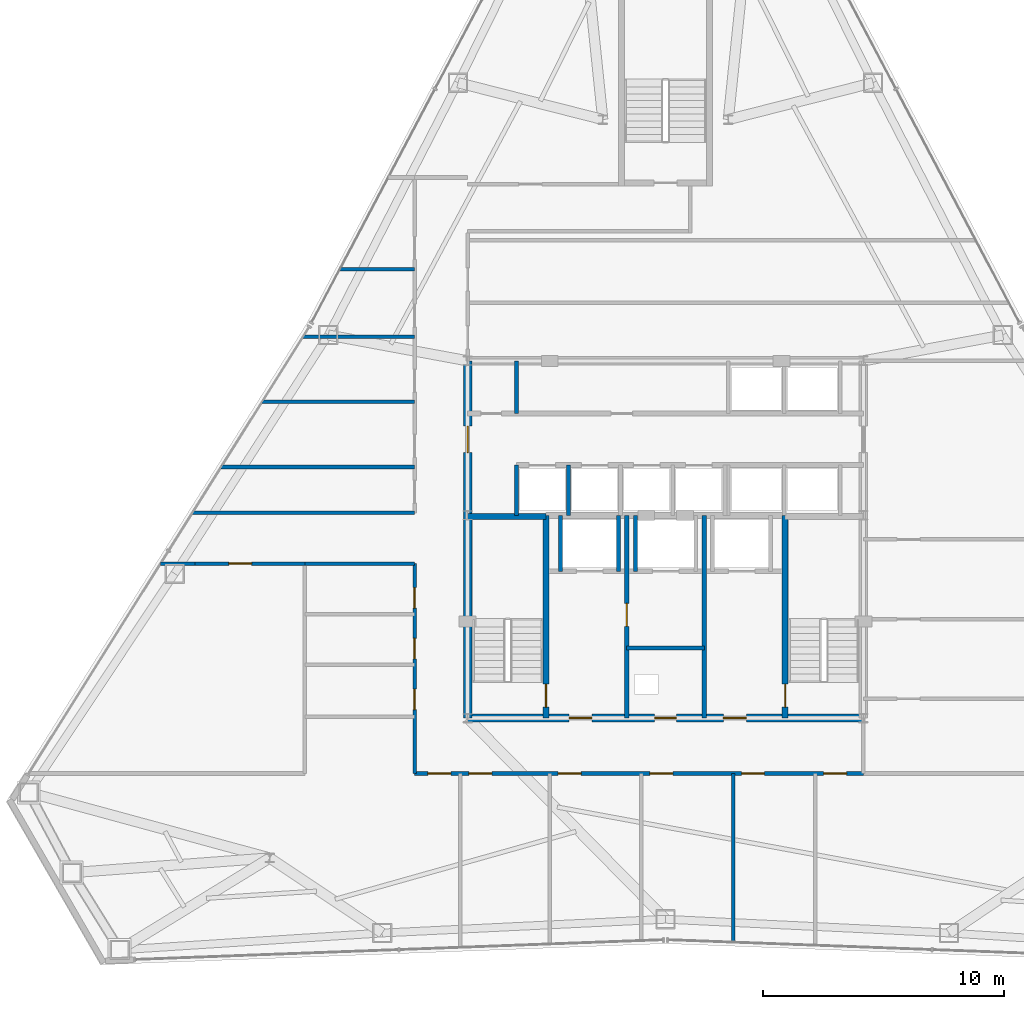
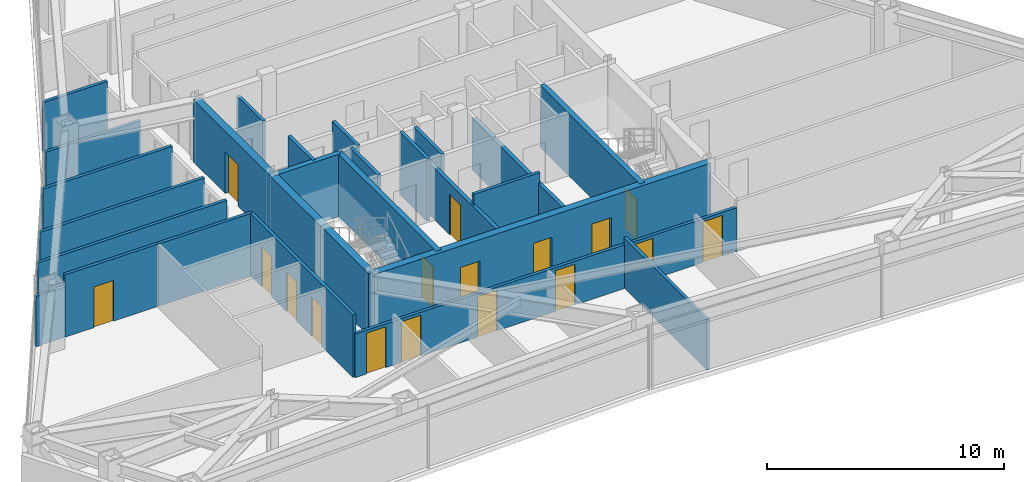
# One storey, part 10 of 13: 25 walls, 17 doors, 17 openings.
"""IFC4 building model written with IfcOpenShell, lengths in metres."""

import ifcopenshell
import ifcopenshell.guid

model = None  # the IFC model being written
_history = None  # IfcOwnerHistory: only IFC2X3 demands one
_inside = {}  # id of a spatial element -> (the spatial element, [elements in it])
_under = {}  # id of a project, library or spatial element -> (it, [spatial elements below it])
_declared = {}  # id of a project -> (the project, [libraries it declares])
_typed = {}  # id of a type object -> (the type object, [elements of that type])
_made_of = {}  # id of a material, layer set ... -> (it, [elements and type objects made of it])


def new_model(schema):
    """Start an empty IFC model of exactly this schema.

    Asked for "IFC4X3", IfcOpenShell would pick the latest addendum, in which some entities
    have other attributes; the version numbers below select the first issue.
    IFC2X3 requires an IfcOwnerHistory on every rooted entity: one is made here for all.
    """
    global model, _history
    if schema == "IFC4X3":
        model = ifcopenshell.file(schema_version=(4, 3, 0, 0))
    else:
        model = ifcopenshell.file(schema=schema)
    _inside.clear()
    _under.clear()
    _declared.clear()
    _typed.clear()
    _made_of.clear()
    _history = None
    if model.schema == "IFC2X3":
        org = make("IfcOrganization", Name="unknown")
        user = make(
            "IfcPersonAndOrganization",
            ThePerson=make("IfcPerson", FamilyName="unknown"),
            TheOrganization=org,
        )
        app = make(
            "IfcApplication",
            ApplicationDeveloper=org,
            Version="unknown",
            ApplicationFullName="unknown",
            ApplicationIdentifier="unknown",
        )
        _history = make(
            "IfcOwnerHistory",
            OwningUser=user,
            OwningApplication=app,
            ChangeAction="ADDED",
            CreationDate=0,
        )
    return model


def make(cls, **values):
    """One entity of the class cls with the attributes given. An attribute that is None is left unset."""
    return model.create_entity(
        cls, **{name: value for name, value in values.items() if value is not None}
    )


def rooted(cls, **values):
    """An entity with a GlobalId (a new one), such as an element, a storey or a relation."""
    return make(cls, GlobalId=ifcopenshell.guid.new(), OwnerHistory=_history, **values)


def si_unit(unit_type, name, prefix=None):
    """IfcSIUnit, for example si_unit("LENGTHUNIT", "METRE", prefix="MILLI")."""
    return make("IfcSIUnit", UnitType=unit_type, Prefix=prefix, Name=name)


def assignment(units):
    """IfcUnitAssignment: the units of a project."""
    return None if units is None else make("IfcUnitAssignment", Units=units)


def point(xyz):
    """IfcCartesianPoint."""
    return None if xyz is None else make("IfcCartesianPoint", Coordinates=xyz)


def direction(xyz):
    """IfcDirection."""
    return None if xyz is None else make("IfcDirection", DirectionRatios=xyz)


def frame(location, z_axis=None, x_axis=None):
    """IfcAxis2Placement3D, a coordinate frame: its origin and axes. An axis left out is left unset."""
    return make(
        "IfcAxis2Placement3D",
        Location=point(location),
        Axis=direction(z_axis),
        RefDirection=direction(x_axis),
    )


def frame_2d(location, x_axis=None):
    """IfcAxis2Placement2D, a coordinate frame in the plane: its origin and x axis."""
    return make(
        "IfcAxis2Placement2D", Location=point(location), RefDirection=direction(x_axis)
    )


def origin():
    """The frame at (0, 0, 0) with its axes left unset."""
    return frame((0.0, 0.0, 0.0))


def place(relative_to, where):
    """IfcLocalPlacement: puts the frame where relative to a parent placement (None: the world)."""
    return make(
        "IfcLocalPlacement", PlacementRelTo=relative_to, RelativePlacement=where
    )


def context(
    kind, dimensions, precision=None, world=None, true_north=None, identifier=None
):
    """IfcGeometricRepresentationContext, for example the 3D "Model" context."""
    return make(
        "IfcGeometricRepresentationContext",
        ContextIdentifier=identifier,
        ContextType=kind,
        CoordinateSpaceDimension=dimensions,
        Precision=precision,
        WorldCoordinateSystem=world,
        TrueNorth=true_north,
    )


def subcontext(parent, identifier, kind, view, scale=None):
    """IfcGeometricRepresentationSubContext, for example "Body" below "Model"."""
    return make(
        "IfcGeometricRepresentationSubContext",
        ContextIdentifier=identifier,
        ContextType=kind,
        ParentContext=parent,
        TargetScale=scale,
        TargetView=view,
    )


def project(units=None, contexts=None):
    """IfcProject with its units and contexts."""
    return rooted(
        "IfcProject",
        Name="project",
        RepresentationContexts=contexts,
        UnitsInContext=assignment(units),
    )


def spatial(cls, under=None, at=None, **own):
    """A site, building, storey or space (cls), placed at a placement, below another one or the project."""
    s = rooted(cls, ObjectPlacement=at, **own)
    if under is not None:
        _under.setdefault(under.id(), (under, []))[1].append(s)
    return s


def profile(cls, at=None, kind="AREA", **sizes):
    """A parametric profile (cls). Its sizes go by their IFC names, for example OverallWidth=200.0."""
    return make(cls, ProfileType=kind, Position=at, **sizes)


def rectangle(**sizes):
    """IfcRectangleProfileDef."""
    return profile("IfcRectangleProfileDef", **sizes)


def extrude(swept, where, along, depth):
    """IfcExtrudedAreaSolid: the profile swept, set in the frame where, extruded along a direction by depth."""
    return make(
        "IfcExtrudedAreaSolid",
        SweptArea=swept,
        Position=where,
        ExtrudedDirection=direction(along),
        Depth=depth,
    )


def shape(context_of_items, identifier, shape_type, items):
    """IfcShapeRepresentation: the items that make up one representation, for example the "Body"."""
    return make(
        "IfcShapeRepresentation",
        ContextOfItems=context_of_items,
        RepresentationIdentifier=identifier,
        RepresentationType=shape_type,
        Items=items,
    )


def material(Name=None, Category=None):
    """IfcMaterial."""
    return make("IfcMaterial", Name=Name, Category=Category)


def layer(
    of_material, thickness, ventilated=None, Name=None, Category=None, Priority=None
):
    """IfcMaterialLayer: one layer of a wall or slab, of a material (None: an air gap)."""
    return make(
        "IfcMaterialLayer",
        Material=of_material,
        LayerThickness=thickness,
        IsVentilated=ventilated,
        Name=Name,
        Category=Category,
        Priority=Priority,
    )


def layer_set(layers, Name=None):
    """IfcMaterialLayerSet."""
    return make("IfcMaterialLayerSet", MaterialLayers=layers, LayerSetName=Name)


def made_of(thing, what):
    """Note that an element or type object is made of a material, layer set ...; save() writes the relation."""
    if what is not None:
        _made_of.setdefault(what.id(), (what, []))[1].append(thing)
    return thing


def type_object(cls, material=None, **own):
    """A type object (cls), such as IfcWallType, which elements share."""
    return made_of(rooted(cls, **own), material)


def element(
    cls,
    number,
    at=None,
    inside=None,
    cuts=None,
    type_object=None,
    material=None,
    context=None,
    identifier="Body",
    shape_type=None,
    held_by="IfcProductDefinitionShape",
    body=None,
    shapes=None,
    **own,
):
    """One element of the class cls, such as IfcWall. Its Tag is "e" and its number.

    at: its placement. inside: the storey or other place that contains it. cuts: it is an
    opening in that element (IfcRelVoidsElement). A single representation is given by context,
    identifier, shape_type and body (its items); several are given by shapes. held_by: the class
    of the entity that holds the representations. save() writes the other relations.
    """
    e = rooted(cls, Tag="e%d" % number, ObjectPlacement=at, **own)
    if body is not None:
        shapes = [shape(context, identifier, shape_type, body)]
    if shapes is not None:
        e.Representation = make(held_by, Representations=shapes)
    if inside is not None:
        _inside.setdefault(inside.id(), (inside, []))[1].append(e)
    if cuts is not None:
        rooted(
            "IfcRelVoidsElement", RelatingBuildingElement=cuts, RelatedOpeningElement=e
        )
    if type_object is not None:
        _typed.setdefault(type_object.id(), (type_object, []))[1].append(e)
    return made_of(e, material)


def fill(opening, filler):
    """IfcRelFillsElement: the door or window that sits in an opening."""
    return rooted(
        "IfcRelFillsElement",
        RelatingOpeningElement=opening,
        RelatedBuildingElement=filler,
    )


def aggregate(whole, parts):
    """IfcRelAggregates: a whole, such as a stair, and the parts it consists of."""
    return rooted("IfcRelAggregates", RelatingObject=whole, RelatedObjects=parts)


def save(model, path):
    """Write the relations noted so far, then the file.

    IfcRelAggregates (storeys below a building ...), IfcRelContainedInSpatialStructure (elements
    in a storey), IfcRelDefinesByType, IfcRelAssociatesMaterial and IfcRelDeclares: one each for
    every whole, place, type object, material and project.
    """
    for whole, parts in _under.values():
        aggregate(whole, parts)
    for where, things in _inside.values():
        rooted(
            "IfcRelContainedInSpatialStructure",
            RelatedElements=things,
            RelatingStructure=where,
        )
    for kind, things in _typed.values():
        rooted("IfcRelDefinesByType", RelatedObjects=things, RelatingType=kind)
    for what, things in _made_of.values():
        rooted("IfcRelAssociatesMaterial", RelatedObjects=things, RelatingMaterial=what)
    for by, libraries in _declared.values():
        rooted("IfcRelDeclares", RelatingContext=by, RelatedDefinitions=libraries)
    model.write(path)


model = new_model("IFC4")

# Units and contexts
model_context = context("Model", 3, precision=1e-05, world=origin(), true_north=direction((0.0, 1.0)))
body_context = subcontext(model_context, "Body", "Model", "MODEL_VIEW")
ifc_project = project(units=[si_unit("LENGTHUNIT", "METRE"), si_unit("AREAUNIT", "SQUARE_METRE"), si_unit("VOLUMEUNIT", "CUBIC_METRE"), si_unit("PLANEANGLEUNIT", "RADIAN"), si_unit("MASSUNIT", "GRAM", prefix="KILO")], contexts=[model_context])

# Site, building, storey
site_placement = place(None, origin())
site = spatial("IfcSite", under=ifc_project, at=site_placement, CompositionType="ELEMENT")
building_placement = place(site_placement, origin())
building = spatial("IfcBuilding", under=site, at=building_placement, Name="Varakhsha Concourse Tower", CompositionType="ELEMENT")
storey_placement = place(building_placement, frame((0.0, 0.0, 172.35009765625)))
storey = spatial("IfcBuildingStorey", under=building, at=storey_placement, Name="L49", CompositionType="ELEMENT", Elevation=172.35009765625)

# Wall, openings, doors
ifc_material_1 = material(Name="Concrete fc 65 MPa", Category="concrete")
ifc_layer_1 = layer(ifc_material_1, 0.35009765625, Name="WL-CORE-350")
ifc_layer_set_1 = layer_set([ifc_layer_1], Name="Concrete fc 65 MPa")
wall_type_1 = type_object("IfcWallType", Name="WL-CORE-350", PredefinedType="SHEAR", material=ifc_layer_set_1)
wall_1_placement = place(storey_placement, frame((31.800048828125, 16.39990234375, 0.0), z_axis=(0.0, 0.0, 1.0), x_axis=(1.0, 0.0, 0.0)))
wall_1 = element("IfcWall", 1, at=wall_1_placement, inside=storey, type_object=wall_type_1, Name="L49 Wall CWALL-S-L49", PredefinedType="SHEAR", context=body_context, shape_type="SweptSolid", body=[
    extrude(rectangle(XDim=16.39990234375, YDim=0.35009765625, at=frame_2d((8.199951171875, 0.0))), origin(), (0.0, 0.0, 1.0), 3.2099609375),
])
opening_1_placement = place(wall_1_placement, frame((7.75, 0.0, 0.0)))
opening_1 = element("IfcOpeningElement", 2, at=opening_1_placement, cuts=wall_1, Name="Opening DF-06", PredefinedType="OPENING", context=body_context, shape_type="SweptSolid", body=[
    extrude(rectangle(XDim=0.89990234375, YDim=2.10009765625, at=frame_2d((0.449951171875, 1.050048828125))), frame((0.0, 0.18505859375, 0.0), z_axis=(0.0, -1.0, 0.0), x_axis=(1.0, 0.0, 0.0)), (0.0, 0.0, 1.0), 0.3701171875),
])
opening_2_placement = place(wall_1_placement, frame((4.199951171875, 0.0, 0.0)))
opening_2 = element("IfcOpeningElement", 3, at=opening_2_placement, cuts=wall_1, Name="Opening DF-05", PredefinedType="OPENING", context=body_context, shape_type="SweptSolid", body=[
    extrude(rectangle(XDim=0.949951171875, YDim=2.10009765625, at=frame_2d((0.47509765625, 1.050048828125))), frame((0.0, 0.18505859375, 0.0), z_axis=(0.0, -1.0, 0.0), x_axis=(1.0, 0.0, 0.0)), (0.0, 0.0, 1.0), 0.3701171875),
])
opening_3_placement = place(wall_1_placement, frame((10.60009765625, 0.0, 0.0)))
opening_3 = element("IfcOpeningElement", 4, at=opening_3_placement, cuts=wall_1, Name="Opening DF-05", PredefinedType="OPENING", context=body_context, shape_type="SweptSolid", body=[
    extrude(rectangle(XDim=0.949951171875, YDim=2.10009765625, at=frame_2d((0.47509765625, 1.050048828125))), frame((0.0, 0.18505859375, 0.0), z_axis=(0.0, -1.0, 0.0), x_axis=(1.0, 0.0, 0.0)), (0.0, 0.0, 1.0), 0.3701171875),
])
ifc_material_2 = material(Name="Hollow Galvanised Steel Fire Door Assembly", Category="steel")
door_type_1 = type_object("IfcDoorType", Name="DR-FD60-900", OperationType="NOTDEFINED", PredefinedType="DOOR", material=ifc_material_2)
door_1_placement = place(opening_1_placement, origin())
door_1 = element("IfcDoor", 5, at=door_1_placement, inside=storey, type_object=door_type_1, Name="L49 Electrical Riser Access Door", OperationType="SINGLE_SWING_LEFT", OverallHeight=2.10009765625, OverallWidth=0.89990234375, PredefinedType="DOOR", context=body_context, shape_type="SweptSolid", body=[
    extrude(rectangle(XDim=0.89990234375, YDim=2.10009765625, at=frame_2d((0.449951171875, 1.050048828125))), frame((0.0, 0.02490234375, 0.0), z_axis=(0.0, -1.0, 0.0), x_axis=(1.0, 0.0, 0.0)), (0.0, 0.0, 1.0), 0.050048828125),
])
fill(opening_1, door_1)
door_type_2 = type_object("IfcDoorType", Name="DR-FD60-950", OperationType="NOTDEFINED", PredefinedType="DOOR", material=ifc_material_2)
door_2_placement = place(opening_2_placement, origin())
door_2 = element("IfcDoor", 6, at=door_2_placement, inside=storey, type_object=door_type_2, Name="L49 Firefighting Lobby West Door", OperationType="SINGLE_SWING_RIGHT", OverallHeight=2.10009765625, OverallWidth=0.949951171875, PredefinedType="DOOR", context=body_context, shape_type="SweptSolid", body=[
    extrude(rectangle(XDim=0.949951171875, YDim=2.10009765625, at=frame_2d((0.47509765625, 1.050048828125))), frame((0.0, 0.02490234375, 0.0), z_axis=(0.0, -1.0, 0.0), x_axis=(1.0, 0.0, 0.0)), (0.0, 0.0, 1.0), 0.050048828125),
])
fill(opening_2, door_2)
door_3_placement = place(opening_3_placement, origin())
door_3 = element("IfcDoor", 7, at=door_3_placement, inside=storey, type_object=door_type_2, Name="L49 Firefighting Lobby East Door", OperationType="SINGLE_SWING_LEFT", OverallHeight=2.10009765625, OverallWidth=0.949951171875, PredefinedType="DOOR", context=body_context, shape_type="SweptSolid", body=[
    extrude(rectangle(XDim=0.949951171875, YDim=2.10009765625, at=frame_2d((0.47509765625, 1.050048828125))), frame((0.0, 0.02490234375, 0.0), z_axis=(0.0, -1.0, 0.0), x_axis=(1.0, 0.0, 0.0)), (0.0, 0.0, 1.0), 0.050048828125),
])
fill(opening_3, door_3)

# Wall, opening, door
wall_2_placement = place(storey_placement, frame((31.800048828125, 16.39990234375, 0.0), z_axis=(0.0, 0.0, 1.0), x_axis=(0.0, 1.0, 0.0)))
wall_2 = element("IfcWall", 8, at=wall_2_placement, inside=storey, type_object=wall_type_1, Name="L49 Wall CWALL-W-L49", PredefinedType="SHEAR", context=body_context, shape_type="SweptSolid", body=[
    extrude(rectangle(XDim=14.800048828125, YDim=0.35009765625, at=frame_2d((7.39990234375, 0.0))), origin(), (0.0, 0.0, 1.0), 3.2099609375),
])
opening_4_placement = place(wall_2_placement, frame((11.0, 0.0, 0.0)))
opening_4 = element("IfcOpeningElement", 9, at=opening_4_placement, cuts=wall_2, Name="Opening DL-01", PredefinedType="OPENING", context=body_context, shape_type="SweptSolid", body=[
    extrude(rectangle(XDim=1.10009765625, YDim=2.14990234375, at=frame_2d((0.550048828125, 1.074951171875))), frame((0.0, 0.18505859375, 0.0), z_axis=(0.0, -1.0, 0.0), x_axis=(1.0, 0.0, 0.0)), (0.0, 0.0, 1.0), 0.3701171875),
])
ifc_material_3 = material(Name="Anodised Bronze Architectural Aluminium AA 6063-T6", Category="aluminium")
door_type_3 = type_object("IfcDoorType", Name="DR-LOB-1100", OperationType="NOTDEFINED", PredefinedType="DOOR", material=ifc_material_3)
door_4_placement = place(opening_4_placement, origin())
door_4 = element("IfcDoor", 10, at=door_4_placement, inside=storey, type_object=door_type_3, Name="L49 Lift Lobby West Concourse Door", OperationType="SINGLE_SWING_LEFT", OverallHeight=2.14990234375, OverallWidth=1.10009765625, PredefinedType="DOOR", context=body_context, shape_type="SweptSolid", body=[
    extrude(rectangle(XDim=1.10009765625, YDim=2.14990234375, at=frame_2d((0.550048828125, 1.074951171875))), frame((0.0, 0.02490234375, 0.0), z_axis=(0.0, -1.0, 0.0), x_axis=(1.0, 0.0, 0.0)), (0.0, 0.0, 1.0), 0.050048828125),
])
fill(opening_4, door_4)

ifc_material_4 = material(Name="Fire-Rated Type X Gypsum Partition Assembly", Category="gypsum")
ifc_layer_2 = layer(ifc_material_4, 0.179931640625, Name="WL-FFLOB-180")
ifc_layer_set_2 = layer_set([ifc_layer_2], Name="Fire-Rated Type X Gypsum Partition Assembly")
wall_type_2 = type_object("IfcWallType", Name="WL-FFLOB-180", PredefinedType="PARTITIONING", material=ifc_layer_set_2)
wall_3_placement = place(storey_placement, frame((38.389892578125, 16.39990234375, 0.0), z_axis=(0.0, 0.0, 1.0), x_axis=(0.0, 1.0, 0.0)))
wall_3 = element("IfcWall", 11, at=wall_3_placement, inside=storey, type_object=wall_type_2, Name="L49 Wall FFW-1E-L49", PredefinedType="PARTITIONING", context=body_context, shape_type="SweptSolid", body=[
    extrude(rectangle(XDim=8.400146484375, YDim=0.179931640625, at=frame_2d((4.2001953125, 0.0))), origin(), (0.0, 0.0, 1.0), 2.664794921875),
])
opening_5_placement = place(wall_3_placement, frame((3.800048828125, 0.0, 0.0)))
opening_5 = element("IfcOpeningElement", 12, at=opening_5_placement, cuts=wall_3, Name="Opening DF-05", PredefinedType="OPENING", context=body_context, shape_type="SweptSolid", body=[
    extrude(rectangle(XDim=0.949951171875, YDim=2.10009765625, at=frame_2d((0.47509765625, 1.050048828125))), frame((0.0, 0.099853515625, 0.0), z_axis=(0.0, -1.0, 0.0), x_axis=(1.0, 0.0, 0.0)), (0.0, 0.0, 1.0), 0.199951171875),
])
door_5_placement = place(opening_5_placement, origin())
door_5 = element("IfcDoor", 13, at=door_5_placement, inside=storey, type_object=door_type_2, Name="L49 Service Vestibule Door", OperationType="SINGLE_SWING_RIGHT", OverallHeight=2.10009765625, OverallWidth=0.949951171875, PredefinedType="DOOR", context=body_context, shape_type="SweptSolid", body=[
    extrude(rectangle(XDim=0.949951171875, YDim=2.10009765625, at=frame_2d((0.47509765625, 1.050048828125))), frame((0.0, 0.02490234375, 0.0), z_axis=(0.0, -1.0, 0.0), x_axis=(1.0, 0.0, 0.0)), (0.0, 0.0, 1.0), 0.050048828125),
])
fill(opening_5, door_5)

# Walls
wall_4_placement = place(storey_placement, frame((41.610107421875, 16.39990234375, 0.0), z_axis=(0.0, 0.0, 1.0), x_axis=(0.0, 1.0, 0.0)))
element("IfcWall", 14, at=wall_4_placement, inside=storey, type_object=wall_type_2, Name="L49 Wall FFW-2W-L49", PredefinedType="PARTITIONING", context=body_context, shape_type="SweptSolid", body=[
    extrude(rectangle(XDim=8.400146484375, YDim=0.179931640625, at=frame_2d((4.2001953125, 0.0))), origin(), (0.0, 0.0, 1.0), 2.664794921875),
])
ifc_layer_3 = layer(ifc_material_4, 0.14990234375, Name="WL-PART-150")
ifc_layer_set_3 = layer_set([ifc_layer_3], Name="Fire-Rated Type X Gypsum Partition Assembly")
wall_type_3 = type_object("IfcWallType", Name="WL-PART-150", PredefinedType="PARTITIONING", material=ifc_layer_set_3)
wall_5_placement = place(storey_placement, frame((38.389892578125, 19.300048828125, 0.0), z_axis=(0.0, 0.0, 1.0), x_axis=(1.0, 0.0, 0.0)))
element("IfcWall", 15, at=wall_5_placement, inside=storey, type_object=wall_type_3, Name="L49 Wall RSW-H-L49", PredefinedType="PARTITIONING", context=body_context, shape_type="SweptSolid", body=[
    extrude(rectangle(XDim=3.22021484375, YDim=0.14990234375, at=frame_2d((1.610107421875, 0.0))), origin(), (0.0, 0.0, 1.0), 3.2099609375),
])

# Wall, openings, doors
wall_6_placement = place(storey_placement, frame((29.60009765625, 14.10009765625, 0.0), z_axis=(0.0, 0.0, 1.0), x_axis=(1.0, 0.0, 0.0)))
wall_6 = element("IfcWall", 16, at=wall_6_placement, inside=storey, type_object=wall_type_3, Name="L49 Wall CRW-S-L49", PredefinedType="PARTITIONING", context=body_context, shape_type="SweptSolid", body=[
    extrude(rectangle(XDim=18.599853515625, YDim=0.14990234375, at=frame_2d((9.2998046875, 0.0))), origin(), (0.0, 0.0, 1.0), 2.251953125),
])
opening_6_placement = place(wall_6_placement, frame((0.550048828125, 0.0, 0.0)))
opening_6 = element("IfcOpeningElement", 17, at=opening_6_placement, cuts=wall_6, Name="Opening DF-05", PredefinedType="OPENING", context=body_context, shape_type="SweptSolid", body=[
    extrude(rectangle(XDim=0.949951171875, YDim=2.10009765625, at=frame_2d((0.47509765625, 1.050048828125))), frame((0.0, 0.0849609375, 0.0), z_axis=(0.0, -1.0, 0.0), x_axis=(1.0, 0.0, 0.0)), (0.0, 0.0, 1.0), 0.169921875),
])
opening_7_placement = place(wall_6_placement, frame((2.25, 0.0, 0.0)))
opening_7 = element("IfcOpeningElement", 18, at=opening_7_placement, cuts=wall_6, Name="Opening DF-05", PredefinedType="OPENING", context=body_context, shape_type="SweptSolid", body=[
    extrude(rectangle(XDim=0.949951171875, YDim=2.10009765625, at=frame_2d((0.47509765625, 1.050048828125))), frame((0.0, 0.0849609375, 0.0), z_axis=(0.0, -1.0, 0.0), x_axis=(1.0, 0.0, 0.0)), (0.0, 0.0, 1.0), 0.169921875),
])
opening_8_placement = place(wall_6_placement, frame((5.949951171875, 0.0, 0.0)))
opening_8 = element("IfcOpeningElement", 19, at=opening_8_placement, cuts=wall_6, Name="Opening DF-05", PredefinedType="OPENING", context=body_context, shape_type="SweptSolid", body=[
    extrude(rectangle(XDim=0.949951171875, YDim=2.10009765625, at=frame_2d((0.47509765625, 1.050048828125))), frame((0.0, 0.0849609375, 0.0), z_axis=(0.0, -1.0, 0.0), x_axis=(1.0, 0.0, 0.0)), (0.0, 0.0, 1.0), 0.169921875),
])
opening_9_placement = place(wall_6_placement, frame((9.75, 0.0, 0.0)))
opening_9 = element("IfcOpeningElement", 20, at=opening_9_placement, cuts=wall_6, Name="Opening DF-05", PredefinedType="OPENING", context=body_context, shape_type="SweptSolid", body=[
    extrude(rectangle(XDim=0.949951171875, YDim=2.10009765625, at=frame_2d((0.47509765625, 1.050048828125))), frame((0.0, 0.0849609375, 0.0), z_axis=(0.0, -1.0, 0.0), x_axis=(1.0, 0.0, 0.0)), (0.0, 0.0, 1.0), 0.169921875),
])
opening_10_placement = place(wall_6_placement, frame((13.550048828125, 0.0, 0.0)))
opening_10 = element("IfcOpeningElement", 21, at=opening_10_placement, cuts=wall_6, Name="Opening DF-05", PredefinedType="OPENING", context=body_context, shape_type="SweptSolid", body=[
    extrude(rectangle(XDim=0.949951171875, YDim=2.10009765625, at=frame_2d((0.47509765625, 1.050048828125))), frame((0.0, 0.0849609375, 0.0), z_axis=(0.0, -1.0, 0.0), x_axis=(1.0, 0.0, 0.0)), (0.0, 0.0, 1.0), 0.169921875),
])
opening_11_placement = place(wall_6_placement, frame((16.949951171875, 0.0, 0.0)))
opening_11 = element("IfcOpeningElement", 22, at=opening_11_placement, cuts=wall_6, Name="Opening DF-05", PredefinedType="OPENING", context=body_context, shape_type="SweptSolid", body=[
    extrude(rectangle(XDim=0.949951171875, YDim=2.10009765625, at=frame_2d((0.47509765625, 1.050048828125))), frame((0.0, 0.0849609375, 0.0), z_axis=(0.0, -1.0, 0.0), x_axis=(1.0, 0.0, 0.0)), (0.0, 0.0, 1.0), 0.169921875),
])
door_6_placement = place(opening_6_placement, origin())
door_6 = element("IfcDoor", 23, at=door_6_placement, inside=storey, type_object=door_type_2, Name="L49 Deposition Conference Room L49-S1 Door", OperationType="SINGLE_SWING_LEFT", OverallHeight=2.10009765625, OverallWidth=0.949951171875, PredefinedType="DOOR", context=body_context, shape_type="SweptSolid", body=[
    extrude(rectangle(XDim=0.949951171875, YDim=2.10009765625, at=frame_2d((0.47509765625, 1.050048828125))), frame((0.0, 0.02490234375, 0.0), z_axis=(0.0, -1.0, 0.0), x_axis=(1.0, 0.0, 0.0)), (0.0, 0.0, 1.0), 0.050048828125),
])
fill(opening_6, door_6)
door_7_placement = place(opening_7_placement, origin())
door_7 = element("IfcDoor", 24, at=door_7_placement, inside=storey, type_object=door_type_2, Name="L49 Senior Partner Chamber L49-S2 Door", OperationType="SINGLE_SWING_RIGHT", OverallHeight=2.10009765625, OverallWidth=0.949951171875, PredefinedType="DOOR", context=body_context, shape_type="SweptSolid", body=[
    extrude(rectangle(XDim=0.949951171875, YDim=2.10009765625, at=frame_2d((0.47509765625, 1.050048828125))), frame((0.0, 0.02490234375, 0.0), z_axis=(0.0, -1.0, 0.0), x_axis=(1.0, 0.0, 0.0)), (0.0, 0.0, 1.0), 0.050048828125),
])
fill(opening_7, door_7)
door_8_placement = place(opening_8_placement, origin())
door_8 = element("IfcDoor", 25, at=door_8_placement, inside=storey, type_object=door_type_2, Name="L49 Senior Partner Chamber L49-S3 Door", OperationType="SINGLE_SWING_LEFT", OverallHeight=2.10009765625, OverallWidth=0.949951171875, PredefinedType="DOOR", context=body_context, shape_type="SweptSolid", body=[
    extrude(rectangle(XDim=0.949951171875, YDim=2.10009765625, at=frame_2d((0.47509765625, 1.050048828125))), frame((0.0, 0.02490234375, 0.0), z_axis=(0.0, -1.0, 0.0), x_axis=(1.0, 0.0, 0.0)), (0.0, 0.0, 1.0), 0.050048828125),
])
fill(opening_8, door_8)
door_9_placement = place(opening_9_placement, origin())
door_9 = element("IfcDoor", 26, at=door_9_placement, inside=storey, type_object=door_type_2, Name="L49 Senior Partner Chamber L49-S4 Door", OperationType="SINGLE_SWING_RIGHT", OverallHeight=2.10009765625, OverallWidth=0.949951171875, PredefinedType="DOOR", context=body_context, shape_type="SweptSolid", body=[
    extrude(rectangle(XDim=0.949951171875, YDim=2.10009765625, at=frame_2d((0.47509765625, 1.050048828125))), frame((0.0, 0.02490234375, 0.0), z_axis=(0.0, -1.0, 0.0), x_axis=(1.0, 0.0, 0.0)), (0.0, 0.0, 1.0), 0.050048828125),
])
fill(opening_9, door_9)
door_10_placement = place(opening_10_placement, origin())
door_10 = element("IfcDoor", 27, at=door_10_placement, inside=storey, type_object=door_type_2, Name="L49 Senior Partner Chamber L49-S5 Door", OperationType="SINGLE_SWING_LEFT", OverallHeight=2.10009765625, OverallWidth=0.949951171875, PredefinedType="DOOR", context=body_context, shape_type="SweptSolid", body=[
    extrude(rectangle(XDim=0.949951171875, YDim=2.10009765625, at=frame_2d((0.47509765625, 1.050048828125))), frame((0.0, 0.02490234375, 0.0), z_axis=(0.0, -1.0, 0.0), x_axis=(1.0, 0.0, 0.0)), (0.0, 0.0, 1.0), 0.050048828125),
])
fill(opening_10, door_10)
door_11_placement = place(opening_11_placement, origin())
door_11 = element("IfcDoor", 28, at=door_11_placement, inside=storey, type_object=door_type_2, Name="L49 Senior Partner Chamber L49-S6 Door", OperationType="SINGLE_SWING_RIGHT", OverallHeight=2.10009765625, OverallWidth=0.949951171875, PredefinedType="DOOR", context=body_context, shape_type="SweptSolid", body=[
    extrude(rectangle(XDim=0.949951171875, YDim=2.10009765625, at=frame_2d((0.47509765625, 1.050048828125))), frame((0.0, 0.02490234375, 0.0), z_axis=(0.0, -1.0, 0.0), x_axis=(1.0, 0.0, 0.0)), (0.0, 0.0, 1.0), 0.050048828125),
])
fill(opening_11, door_11)

wall_7_placement = place(storey_placement, frame((29.60009765625, 14.10009765625, 0.0), z_axis=(0.0, 0.0, 1.0), x_axis=(0.0, 1.0, 0.0)))
wall_7 = element("IfcWall", 29, at=wall_7_placement, inside=storey, type_object=wall_type_3, Name="L49 Wall CRW-WS-L49", PredefinedType="PARTITIONING", context=body_context, shape_type="SweptSolid", body=[
    extrude(rectangle(XDim=8.699951171875, YDim=0.14990234375, at=frame_2d((4.35009765625, 0.0))), origin(), (0.0, 0.0, 1.0), 3.2099609375),
])
opening_12_placement = place(wall_7_placement, frame((2.64990234375, 0.0, 0.0)))
opening_12 = element("IfcOpeningElement", 30, at=opening_12_placement, cuts=wall_7, Name="Opening DF-07", PredefinedType="OPENING", context=body_context, shape_type="SweptSolid", body=[
    extrude(rectangle(XDim=0.85009765625, YDim=2.050048828125, at=frame_2d((0.425048828125, 1.02490234375))), frame((0.0, 0.0849609375, 0.0), z_axis=(0.0, -1.0, 0.0), x_axis=(1.0, 0.0, 0.0)), (0.0, 0.0, 1.0), 0.169921875),
])
opening_13_placement = place(wall_7_placement, frame((4.75, 0.0, 0.0)))
opening_13 = element("IfcOpeningElement", 31, at=opening_13_placement, cuts=wall_7, Name="Opening DF-07", PredefinedType="OPENING", context=body_context, shape_type="SweptSolid", body=[
    extrude(rectangle(XDim=0.85009765625, YDim=2.050048828125, at=frame_2d((0.425048828125, 1.02490234375))), frame((0.0, 0.0849609375, 0.0), z_axis=(0.0, -1.0, 0.0), x_axis=(1.0, 0.0, 0.0)), (0.0, 0.0, 1.0), 0.169921875),
])
opening_14_placement = place(wall_7_placement, frame((6.85009765625, 0.0, 0.0)))
opening_14 = element("IfcOpeningElement", 32, at=opening_14_placement, cuts=wall_7, Name="Opening DF-07", PredefinedType="OPENING", context=body_context, shape_type="SweptSolid", body=[
    extrude(rectangle(XDim=0.85009765625, YDim=2.050048828125, at=frame_2d((0.425048828125, 1.02490234375))), frame((0.0, 0.0849609375, 0.0), z_axis=(0.0, -1.0, 0.0), x_axis=(1.0, 0.0, 0.0)), (0.0, 0.0, 1.0), 0.169921875),
])
door_type_4 = type_object("IfcDoorType", Name="DR-FD60-850", OperationType="NOTDEFINED", PredefinedType="DOOR", material=ifc_material_2)
door_12_placement = place(opening_12_placement, origin())
door_12 = element("IfcDoor", 33, at=door_12_placement, inside=storey, type_object=door_type_4, Name="L49 Men Restroom WC Door", OperationType="SINGLE_SWING_LEFT", OverallHeight=2.050048828125, OverallWidth=0.85009765625, PredefinedType="DOOR", context=body_context, shape_type="SweptSolid", body=[
    extrude(rectangle(XDim=0.85009765625, YDim=2.050048828125, at=frame_2d((0.425048828125, 1.02490234375))), frame((0.0, 0.02490234375, 0.0), z_axis=(0.0, -1.0, 0.0), x_axis=(1.0, 0.0, 0.0)), (0.0, 0.0, 1.0), 0.050048828125),
])
fill(opening_12, door_12)
door_13_placement = place(opening_13_placement, origin())
door_13 = element("IfcDoor", 34, at=door_13_placement, inside=storey, type_object=door_type_4, Name="L49 Women Restroom WC Door", OperationType="SINGLE_SWING_LEFT", OverallHeight=2.050048828125, OverallWidth=0.85009765625, PredefinedType="DOOR", context=body_context, shape_type="SweptSolid", body=[
    extrude(rectangle(XDim=0.85009765625, YDim=2.050048828125, at=frame_2d((0.425048828125, 1.02490234375))), frame((0.0, 0.02490234375, 0.0), z_axis=(0.0, -1.0, 0.0), x_axis=(1.0, 0.0, 0.0)), (0.0, 0.0, 1.0), 0.050048828125),
])
fill(opening_13, door_13)
door_14_placement = place(opening_14_placement, origin())
door_14 = element("IfcDoor", 35, at=door_14_placement, inside=storey, type_object=door_type_4, Name="L49 Accessible WC Door", OperationType="SINGLE_SWING_LEFT", OverallHeight=2.050048828125, OverallWidth=0.85009765625, PredefinedType="DOOR", context=body_context, shape_type="SweptSolid", body=[
    extrude(rectangle(XDim=0.85009765625, YDim=2.050048828125, at=frame_2d((0.425048828125, 1.02490234375))), frame((0.0, 0.02490234375, 0.0), z_axis=(0.0, -1.0, 0.0), x_axis=(1.0, 0.0, 0.0)), (0.0, 0.0, 1.0), 0.050048828125),
])
fill(opening_14, door_14)

# Walls
wall_8_placement = place(storey_placement, frame((19.074462890625, 22.800048828125, 0.0), z_axis=(0.0, 0.0, 1.0), x_axis=(1.0, 0.0, 0.0)))
element("IfcWall", 36, at=wall_8_placement, inside=storey, type_object=wall_type_3, Name="L49 Wall CRW-WWS-W-L49", PredefinedType="PARTITIONING", context=body_context, shape_type="SweptSolid", body=[
    extrude(rectangle(XDim=1.425537109375, YDim=0.14990234375, at=frame_2d((0.712890625, 0.0))), origin(), (0.0, 0.0, 1.0), 2.5888671875),
])
wall_9_placement = place(storey_placement, frame((25.050048828125, 22.800048828125, 0.0), z_axis=(0.0, 0.0, 1.0), x_axis=(1.0, 0.0, 0.0)))
element("IfcWall", 37, at=wall_9_placement, inside=storey, type_object=wall_type_3, Name="L49 Wall CRW-WWS-E-L49", PredefinedType="PARTITIONING", context=body_context, shape_type="SweptSolid", body=[
    extrude(rectangle(XDim=4.550048828125, YDim=0.14990234375, at=frame_2d((2.27490234375, 0.0))), origin(), (0.0, 0.0, 1.0), 3.2099609375),
])
wall_10_placement = place(storey_placement, frame((20.393798828125, 24.89990234375, 0.0), z_axis=(0.0, 0.0, 1.0), x_axis=(1.0, 0.0, 0.0)))
element("IfcWall", 38, at=wall_10_placement, inside=storey, type_object=wall_type_3, Name="L49 Wall CRW-WWN-L49", PredefinedType="PARTITIONING", context=body_context, shape_type="SweptSolid", body=[
    extrude(rectangle(XDim=9.206298828125, YDim=0.14990234375, at=frame_2d((4.60302734375, 0.0))), origin(), (0.0, 0.0, 1.0), 2.5888671875),
])
wall_11_placement = place(storey_placement, frame((42.800048828125, 7.10986328125, 0.0), z_axis=(0.0, 0.0, 1.0), x_axis=(0.0, 1.0, 0.0)))
element("IfcWall", 39, at=wall_11_placement, inside=storey, type_object=wall_type_3, Name="L49 Wall ODIV-S4-L49", PredefinedType="PARTITIONING", context=body_context, shape_type="SweptSolid", body=[
    extrude(rectangle(XDim=6.990234375, YDim=0.14990234375, at=frame_2d((3.4951171875, 0.0))), origin(), (0.0, 0.0, 1.0), 2.5888671875),
])

# Wall, opening, door
wall_12_placement = place(storey_placement, frame((20.5, 22.800048828125, 0.0), z_axis=(0.0, 0.0, 1.0), x_axis=(1.0, 0.0, 0.0)))
wall_12 = element("IfcWall", 40, at=wall_12_placement, inside=storey, type_object=wall_type_3, Name="L49 Wall CRW-WWS-DOOR-L49", PredefinedType="PARTITIONING", context=body_context, shape_type="SweptSolid", body=[
    extrude(rectangle(XDim=4.550048828125, YDim=0.14990234375, at=frame_2d((2.27490234375, 0.0))), origin(), (0.0, 0.0, 1.0), 3.2099609375),
])
opening_15_placement = place(wall_12_placement, frame((1.39990234375, 0.0, 0.0)))
opening_15 = element("IfcOpeningElement", 41, at=opening_15_placement, cuts=wall_12, Name="Opening DF-05", PredefinedType="OPENING", context=body_context, shape_type="SweptSolid", body=[
    extrude(rectangle(XDim=0.949951171875, YDim=2.10009765625, at=frame_2d((0.47509765625, 1.050048828125))), frame((0.0, 0.0849609375, 0.0), z_axis=(0.0, -1.0, 0.0), x_axis=(1.0, 0.0, 0.0)), (0.0, 0.0, 1.0), 0.169921875),
])
door_15_placement = place(opening_15_placement, origin())
door_15 = element("IfcDoor", 42, at=door_15_placement, inside=storey, type_object=door_type_2, Name="L49 Legal Research Library L49-SW Door", OperationType="SINGLE_SWING_LEFT", OverallHeight=2.10009765625, OverallWidth=0.949951171875, PredefinedType="DOOR", context=body_context, shape_type="SweptSolid", body=[
    extrude(rectangle(XDim=0.949951171875, YDim=2.10009765625, at=frame_2d((0.47509765625, 1.050048828125))), frame((0.0, 0.02490234375, 0.0), z_axis=(0.0, -1.0, 0.0), x_axis=(1.0, 0.0, 0.0)), (0.0, 0.0, 1.0), 0.050048828125),
])
fill(opening_15, door_15)

# Walls
wall_13_placement = place(storey_placement, frame((21.587646484375, 26.800048828125, 0.0), z_axis=(0.0, 0.0, 1.0), x_axis=(1.0, 0.0, 0.0)))
element("IfcWall", 43, at=wall_13_placement, inside=storey, type_object=wall_type_3, Name="L49 Wall ODIV-W1-L49", PredefinedType="PARTITIONING", context=body_context, shape_type="SweptSolid", body=[
    extrude(rectangle(XDim=8.012451171875, YDim=0.14990234375, at=frame_2d((4.00634765625, 0.0))), origin(), (0.0, 0.0, 1.0), 2.5888671875),
])
wall_14_placement = place(storey_placement, frame((23.2841796875, 29.5, 0.0), z_axis=(0.0, 0.0, 1.0), x_axis=(1.0, 0.0, 0.0)))
element("IfcWall", 44, at=wall_14_placement, inside=storey, type_object=wall_type_3, Name="L49 Wall ODIV-W2-L49", PredefinedType="PARTITIONING", context=body_context, shape_type="SweptSolid", body=[
    extrude(rectangle(XDim=6.31591796875, YDim=0.14990234375, at=frame_2d((3.157958984375, 0.0))), origin(), (0.0, 0.0, 1.0), 2.5888671875),
])
wall_15_placement = place(storey_placement, frame((24.980712890625, 32.199951171875, 0.0), z_axis=(0.0, 0.0, 1.0), x_axis=(1.0, 0.0, 0.0)))
element("IfcWall", 45, at=wall_15_placement, inside=storey, type_object=wall_type_3, Name="L49 Wall ODIV-W3-L49", PredefinedType="PARTITIONING", context=body_context, shape_type="SweptSolid", body=[
    extrude(rectangle(XDim=4.619384765625, YDim=0.14990234375, at=frame_2d((2.3095703125, 0.0))), origin(), (0.0, 0.0, 1.0), 2.251953125),
])
wall_16_placement = place(storey_placement, frame((26.509765625, 35.0, 0.0), z_axis=(0.0, 0.0, 1.0), x_axis=(1.0, 0.0, 0.0)))
element("IfcWall", 46, at=wall_16_placement, inside=storey, type_object=wall_type_3, Name="L49 Wall ODIV-W4-L49", PredefinedType="PARTITIONING", context=body_context, shape_type="SweptSolid", body=[
    extrude(rectangle(XDim=3.09033203125, YDim=0.14990234375, at=frame_2d((1.545166015625, 0.0))), origin(), (0.0, 0.0, 1.0), 2.5888671875),
])
ifc_layer_4 = layer(ifc_material_4, 0.199951171875, Name="WL-SHAFT-220")
ifc_layer_set_4 = layer_set([ifc_layer_4], Name="Fire-Rated Type X Gypsum Partition Assembly")
wall_type_4 = type_object("IfcWallType", Name="WL-SHAFT-220", PredefinedType="SOLIDWALL", material=ifc_layer_set_4)
for number, where, z_axis, x_axis, name in (
    (47, (35.64990234375, 22.47998046875, 0.0), (0.0, 0.0, 1.0), (0.0, 1.0, 0.0), "L49 Wall SHW-FFL-1-W-L49"),
    (48, (38.050048828125, 22.47998046875, 0.0), (0.0, 0.0, 1.0), (0.0, 1.0, 0.0), "L49 Wall SHW-FFL-1-E-L49"),
    (49, (38.75, 22.47998046875, 0.0), (0.0, 0.0, 1.0), (0.0, 1.0, 0.0), "L49 Wall SHW-SVL-1-W-L49"),
):
    element("IfcWall", number, at=place(storey_placement, frame(where, z_axis=z_axis, x_axis=x_axis)), inside=storey, type_object=wall_type_4, Name=name, PredefinedType="SOLIDWALL", context=body_context, shape_type="SweptSolid", body=[
        extrude(rectangle(XDim=2.320068359375, YDim=0.159912109375, at=frame_2d((1.16015625, 0.0))), origin(), (0.0, 0.0, 1.0), 3.2099609375),
    ])
wall_17_placement = place(storey_placement, frame((33.820068359375, 29.02001953125, 0.0), z_axis=(0.0, 0.0, 1.0), x_axis=(0.0, 1.0, 0.0)))
element("IfcWall", 50, at=wall_17_placement, inside=storey, type_object=wall_type_4, Name="L49 Wall WBOH-E1-L49", PredefinedType="SOLIDWALL", context=body_context, shape_type="SweptSolid", body=[
    extrude(rectangle(XDim=2.179931640625, YDim=0.159912109375, at=frame_2d((1.08984375, 0.0))), origin(), (0.0, 0.0, 1.0), 2.664794921875),
])
for number, where, z_axis, x_axis, name in (
    (51, (33.820068359375, 24.800048828125, 0.0), (0.0, 0.0, 1.0), (0.0, 1.0, 0.0), "L49 Wall WBOH-E2-L49"),
    (52, (35.97998046875, 24.800048828125, 0.0), (0.0, 0.0, 1.0), (0.0, 1.0, 0.0), "L49 Wall SHW-LF-P05-E-L49"),
):
    element("IfcWall", number, at=place(storey_placement, frame(where, z_axis=z_axis, x_axis=x_axis)), inside=storey, type_object=wall_type_4, Name=name, PredefinedType="SOLIDWALL", context=body_context, shape_type="SweptSolid", body=[
        extrude(rectangle(XDim=2.079833984375, YDim=0.159912109375, at=frame_2d((1.0400390625, 0.0))), origin(), (0.0, 0.0, 1.0), 3.2099609375),
    ])

# Wall, opening, door
ifc_material_5 = material(Name="Concrete fc 45 MPa", Category="concrete")
ifc_layer_5 = layer(ifc_material_5, 0.25, Name="WL-STAIR-250")
ifc_layer_set_5 = layer_set([ifc_layer_5], Name="Concrete fc 45 MPa")
wall_type_5 = type_object("IfcWallType", Name="WL-STAIR-250", PredefinedType="SHEAR", material=ifc_layer_set_5)
wall_18_placement = place(storey_placement, frame((35.044921875, 16.39990234375, 0.0), z_axis=(0.0, 0.0, 1.0), x_axis=(0.0, 1.0, 0.0)))
wall_18 = element("IfcWall", 53, at=wall_18_placement, inside=storey, type_object=wall_type_5, Name="L49 Wall SWALL-ST1-E-L49", PredefinedType="SHEAR", context=body_context, shape_type="SweptSolid", body=[
    extrude(rectangle(XDim=8.400146484375, YDim=0.25, at=frame_2d((4.2001953125, 0.0))), origin(), (0.0, 0.0, 1.0), 3.2099609375),
])
opening_16_placement = place(wall_18_placement, frame((0.449951171875, 0.0, 0.0)))
opening_16 = element("IfcOpeningElement", 54, at=opening_16_placement, cuts=wall_18, Name="Opening DF-03", PredefinedType="OPENING", context=body_context, shape_type="SweptSolid", body=[
    extrude(rectangle(XDim=0.949951171875, YDim=2.10009765625, at=frame_2d((0.47509765625, 1.050048828125))), frame((0.0, 0.135009765625, 0.0), z_axis=(0.0, -1.0, 0.0), x_axis=(1.0, 0.0, 0.0)), (0.0, 0.0, 1.0), 0.27001953125),
])
door_type_5 = type_object("IfcDoorType", Name="DR-FD90-950", OperationType="NOTDEFINED", PredefinedType="DOOR", material=ifc_material_2)
door_16_placement = place(opening_16_placement, origin())
door_16 = element("IfcDoor", 55, at=door_16_placement, inside=storey, type_object=door_type_5, Name="L49 Stair ST1 Fire Door", OperationType="SINGLE_SWING_LEFT", OverallHeight=2.10009765625, OverallWidth=0.949951171875, PredefinedType="DOOR", context=body_context, shape_type="SweptSolid", body=[
    extrude(rectangle(XDim=0.949951171875, YDim=2.10009765625, at=frame_2d((0.47509765625, 1.050048828125))), frame((0.0, 0.02490234375, 0.0), z_axis=(0.0, -1.0, 0.0), x_axis=(1.0, 0.0, 0.0)), (0.0, 0.0, 1.0), 0.050048828125),
])
fill(opening_16, door_16)

# Wall
wall_19_placement = place(storey_placement, frame((31.800048828125, 24.7548828125, 0.0), z_axis=(0.0, 0.0, 1.0), x_axis=(1.0, 0.0, 0.0)))
element("IfcWall", 56, at=wall_19_placement, inside=storey, type_object=wall_type_5, Name="L49 Wall SWALL-ST1-N-L49", PredefinedType="SHEAR", context=body_context, shape_type="SweptSolid", body=[
    extrude(rectangle(XDim=3.244873046875, YDim=0.25, at=frame_2d((1.62255859375, 0.0))), origin(), (0.0, 0.0, 1.0), 3.2099609375),
])

# Wall, opening, door
wall_20_placement = place(storey_placement, frame((44.955078125, 16.39990234375, 0.0), z_axis=(0.0, 0.0, 1.0), x_axis=(0.0, 1.0, 0.0)))
wall_20 = element("IfcWall", 57, at=wall_20_placement, inside=storey, type_object=wall_type_5, Name="L49 Wall SWALL-ST2-W-L49", PredefinedType="SHEAR", context=body_context, shape_type="SweptSolid", body=[
    extrude(rectangle(XDim=8.400146484375, YDim=0.25, at=frame_2d((4.2001953125, 0.0))), origin(), (0.0, 0.0, 1.0), 3.2099609375),
])
opening_17_placement = place(wall_20_placement, frame((0.449951171875, 0.0, 0.0)))
opening_17 = element("IfcOpeningElement", 58, at=opening_17_placement, cuts=wall_20, Name="Opening DF-03", PredefinedType="OPENING", context=body_context, shape_type="SweptSolid", body=[
    extrude(rectangle(XDim=0.949951171875, YDim=2.10009765625, at=frame_2d((0.47509765625, 1.050048828125))), frame((0.0, 0.135009765625, 0.0), z_axis=(0.0, -1.0, 0.0), x_axis=(1.0, 0.0, 0.0)), (0.0, 0.0, 1.0), 0.27001953125),
])
door_17_placement = place(opening_17_placement, origin())
door_17 = element("IfcDoor", 59, at=door_17_placement, inside=storey, type_object=door_type_5, Name="L49 Stair ST2 Fire Door", OperationType="SINGLE_SWING_RIGHT", OverallHeight=2.10009765625, OverallWidth=0.949951171875, PredefinedType="DOOR", context=body_context, shape_type="SweptSolid", body=[
    extrude(rectangle(XDim=0.949951171875, YDim=2.10009765625, at=frame_2d((0.47509765625, 1.050048828125))), frame((0.0, 0.02490234375, 0.0), z_axis=(0.0, -1.0, 0.0), x_axis=(1.0, 0.0, 0.0)), (0.0, 0.0, 1.0), 0.050048828125),
])
fill(opening_17, door_17)

save(model, "model.ifc")
